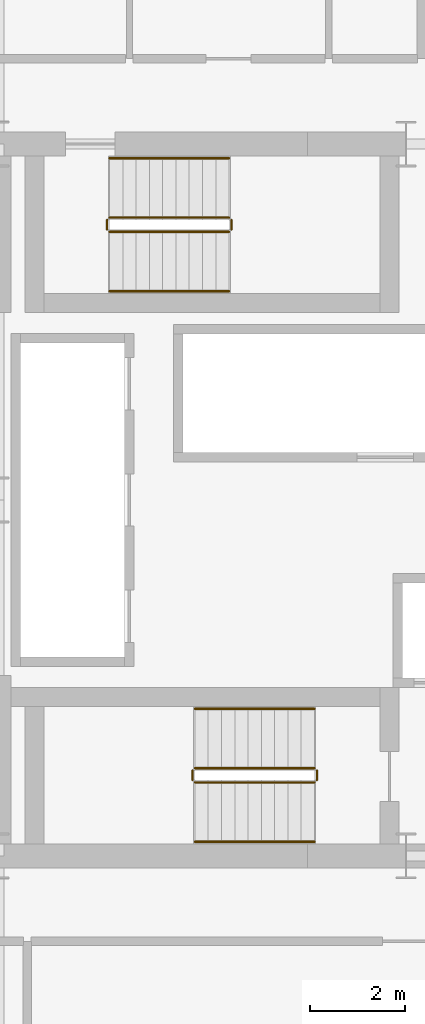
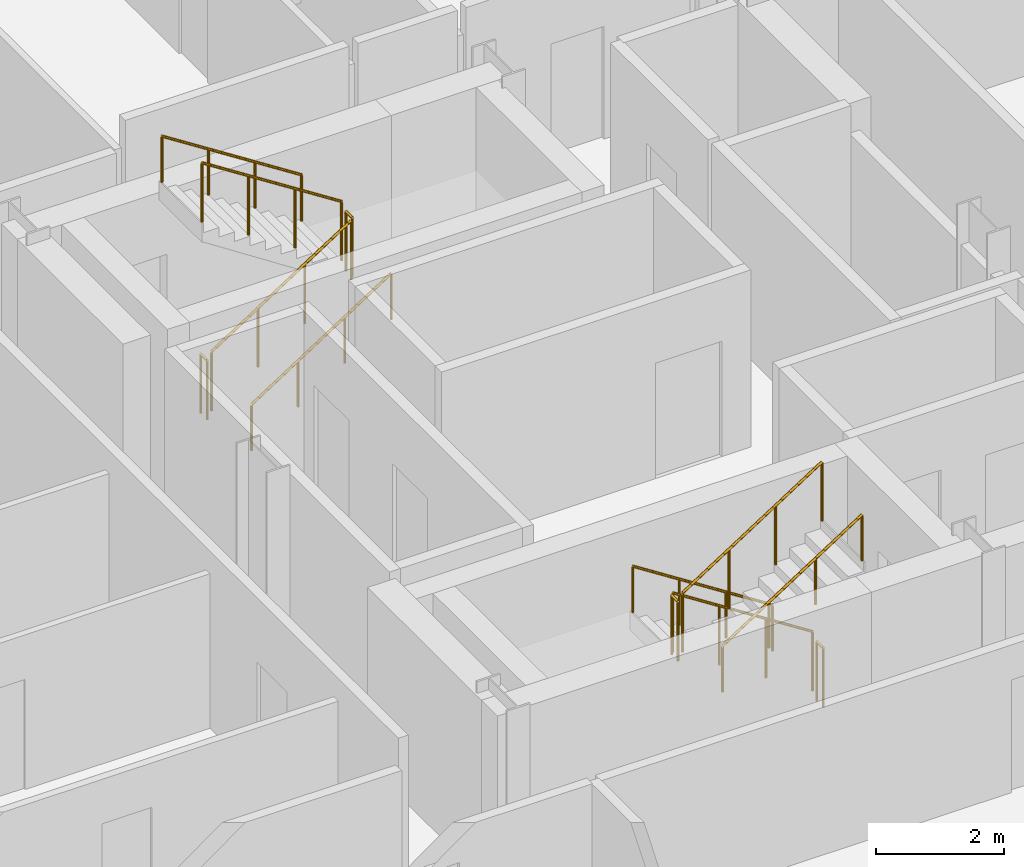
# One storey, part 22 of 23: 12 railings.
"""IFC4 building model written with IfcOpenShell, lengths in metres."""

import ifcopenshell
import ifcopenshell.guid

model = None  # the IFC model being written
_history = None  # IfcOwnerHistory: only IFC2X3 demands one
_inside = {}  # id of a spatial element -> (the spatial element, [elements in it])
_under = {}  # id of a project, library or spatial element -> (it, [spatial elements below it])
_declared = {}  # id of a project -> (the project, [libraries it declares])
_typed = {}  # id of a type object -> (the type object, [elements of that type])
_made_of = {}  # id of a material, layer set ... -> (it, [elements and type objects made of it])


def new_model(schema):
    """Start an empty IFC model of exactly this schema.

    Asked for "IFC4X3", IfcOpenShell would pick the latest addendum, in which some entities
    have other attributes; the version numbers below select the first issue.
    IFC2X3 requires an IfcOwnerHistory on every rooted entity: one is made here for all.
    """
    global model, _history
    if schema == "IFC4X3":
        model = ifcopenshell.file(schema_version=(4, 3, 0, 0))
    else:
        model = ifcopenshell.file(schema=schema)
    _inside.clear()
    _under.clear()
    _declared.clear()
    _typed.clear()
    _made_of.clear()
    _history = None
    if model.schema == "IFC2X3":
        org = make("IfcOrganization", Name="unknown")
        user = make(
            "IfcPersonAndOrganization",
            ThePerson=make("IfcPerson", FamilyName="unknown"),
            TheOrganization=org,
        )
        app = make(
            "IfcApplication",
            ApplicationDeveloper=org,
            Version="unknown",
            ApplicationFullName="unknown",
            ApplicationIdentifier="unknown",
        )
        _history = make(
            "IfcOwnerHistory",
            OwningUser=user,
            OwningApplication=app,
            ChangeAction="ADDED",
            CreationDate=0,
        )
    return model


def make(cls, **values):
    """One entity of the class cls with the attributes given. An attribute that is None is left unset."""
    return model.create_entity(
        cls, **{name: value for name, value in values.items() if value is not None}
    )


def rooted(cls, **values):
    """An entity with a GlobalId (a new one), such as an element, a storey or a relation."""
    return make(cls, GlobalId=ifcopenshell.guid.new(), OwnerHistory=_history, **values)


def si_unit(unit_type, name, prefix=None):
    """IfcSIUnit, for example si_unit("LENGTHUNIT", "METRE", prefix="MILLI")."""
    return make("IfcSIUnit", UnitType=unit_type, Prefix=prefix, Name=name)


def assignment(units):
    """IfcUnitAssignment: the units of a project."""
    return None if units is None else make("IfcUnitAssignment", Units=units)


def point(xyz):
    """IfcCartesianPoint."""
    return None if xyz is None else make("IfcCartesianPoint", Coordinates=xyz)


def direction(xyz):
    """IfcDirection."""
    return None if xyz is None else make("IfcDirection", DirectionRatios=xyz)


def frame(location, z_axis=None, x_axis=None):
    """IfcAxis2Placement3D, a coordinate frame: its origin and axes. An axis left out is left unset."""
    return make(
        "IfcAxis2Placement3D",
        Location=point(location),
        Axis=direction(z_axis),
        RefDirection=direction(x_axis),
    )


def frame_2d(location, x_axis=None):
    """IfcAxis2Placement2D, a coordinate frame in the plane: its origin and x axis."""
    return make(
        "IfcAxis2Placement2D", Location=point(location), RefDirection=direction(x_axis)
    )


def origin():
    """The frame at (0, 0, 0) with its axes left unset."""
    return frame((0.0, 0.0, 0.0))


def origin_2d():
    """The frame at (0, 0) in the plane with its x axis left unset."""
    return frame_2d((0.0, 0.0))


def place(relative_to, where):
    """IfcLocalPlacement: puts the frame where relative to a parent placement (None: the world)."""
    return make(
        "IfcLocalPlacement", PlacementRelTo=relative_to, RelativePlacement=where
    )


def context(
    kind, dimensions, precision=None, world=None, true_north=None, identifier=None
):
    """IfcGeometricRepresentationContext, for example the 3D "Model" context."""
    return make(
        "IfcGeometricRepresentationContext",
        ContextIdentifier=identifier,
        ContextType=kind,
        CoordinateSpaceDimension=dimensions,
        Precision=precision,
        WorldCoordinateSystem=world,
        TrueNorth=true_north,
    )


def subcontext(parent, identifier, kind, view, scale=None):
    """IfcGeometricRepresentationSubContext, for example "Body" below "Model"."""
    return make(
        "IfcGeometricRepresentationSubContext",
        ContextIdentifier=identifier,
        ContextType=kind,
        ParentContext=parent,
        TargetScale=scale,
        TargetView=view,
    )


def project(units=None, contexts=None):
    """IfcProject with its units and contexts."""
    return rooted(
        "IfcProject",
        Name="project",
        RepresentationContexts=contexts,
        UnitsInContext=assignment(units),
    )


def spatial(cls, under=None, at=None, **own):
    """A site, building, storey or space (cls), placed at a placement, below another one or the project."""
    s = rooted(cls, ObjectPlacement=at, **own)
    if under is not None:
        _under.setdefault(under.id(), (under, []))[1].append(s)
    return s


def profile(cls, at=None, kind="AREA", **sizes):
    """A parametric profile (cls). Its sizes go by their IFC names, for example OverallWidth=200.0."""
    return make(cls, ProfileType=kind, Position=at, **sizes)


def circle(**sizes):
    """IfcCircleProfileDef."""
    return profile("IfcCircleProfileDef", **sizes)


def extrude(swept, where, along, depth):
    """IfcExtrudedAreaSolid: the profile swept, set in the frame where, extruded along a direction by depth."""
    return make(
        "IfcExtrudedAreaSolid",
        SweptArea=swept,
        Position=where,
        ExtrudedDirection=direction(along),
        Depth=depth,
    )


def shape(context_of_items, identifier, shape_type, items):
    """IfcShapeRepresentation: the items that make up one representation, for example the "Body"."""
    return make(
        "IfcShapeRepresentation",
        ContextOfItems=context_of_items,
        RepresentationIdentifier=identifier,
        RepresentationType=shape_type,
        Items=items,
    )


def material(Name=None, Category=None):
    """IfcMaterial."""
    return make("IfcMaterial", Name=Name, Category=Category)


def made_of(thing, what):
    """Note that an element or type object is made of a material, layer set ...; save() writes the relation."""
    if what is not None:
        _made_of.setdefault(what.id(), (what, []))[1].append(thing)
    return thing


def type_object(cls, material=None, **own):
    """A type object (cls), such as IfcWallType, which elements share."""
    return made_of(rooted(cls, **own), material)


def element(
    cls,
    number,
    at=None,
    inside=None,
    cuts=None,
    type_object=None,
    material=None,
    context=None,
    identifier="Body",
    shape_type=None,
    held_by="IfcProductDefinitionShape",
    body=None,
    shapes=None,
    **own,
):
    """One element of the class cls, such as IfcWall. Its Tag is "e" and its number.

    at: its placement. inside: the storey or other place that contains it. cuts: it is an
    opening in that element (IfcRelVoidsElement). A single representation is given by context,
    identifier, shape_type and body (its items); several are given by shapes. held_by: the class
    of the entity that holds the representations. save() writes the other relations.
    """
    e = rooted(cls, Tag="e%d" % number, ObjectPlacement=at, **own)
    if body is not None:
        shapes = [shape(context, identifier, shape_type, body)]
    if shapes is not None:
        e.Representation = make(held_by, Representations=shapes)
    if inside is not None:
        _inside.setdefault(inside.id(), (inside, []))[1].append(e)
    if cuts is not None:
        rooted(
            "IfcRelVoidsElement", RelatingBuildingElement=cuts, RelatedOpeningElement=e
        )
    if type_object is not None:
        _typed.setdefault(type_object.id(), (type_object, []))[1].append(e)
    return made_of(e, material)


def aggregate(whole, parts):
    """IfcRelAggregates: a whole, such as a stair, and the parts it consists of."""
    return rooted("IfcRelAggregates", RelatingObject=whole, RelatedObjects=parts)


def save(model, path):
    """Write the relations noted so far, then the file.

    IfcRelAggregates (storeys below a building ...), IfcRelContainedInSpatialStructure (elements
    in a storey), IfcRelDefinesByType, IfcRelAssociatesMaterial and IfcRelDeclares: one each for
    every whole, place, type object, material and project.
    """
    for whole, parts in _under.values():
        aggregate(whole, parts)
    for where, things in _inside.values():
        rooted(
            "IfcRelContainedInSpatialStructure",
            RelatedElements=things,
            RelatingStructure=where,
        )
    for kind, things in _typed.values():
        rooted("IfcRelDefinesByType", RelatedObjects=things, RelatingType=kind)
    for what, things in _made_of.values():
        rooted("IfcRelAssociatesMaterial", RelatedObjects=things, RelatingMaterial=what)
    for by, libraries in _declared.values():
        rooted("IfcRelDeclares", RelatingContext=by, RelatedDefinitions=libraries)
    model.write(path)


model = new_model("IFC4")

# Units and contexts
model_context = context("Model", 3, precision=1e-05, world=origin(), true_north=direction((0.0, 1.0)))
body_context = subcontext(model_context, "Body", "Model", "MODEL_VIEW")
ifc_project = project(units=[si_unit("LENGTHUNIT", "METRE"), si_unit("AREAUNIT", "SQUARE_METRE"), si_unit("VOLUMEUNIT", "CUBIC_METRE"), si_unit("PLANEANGLEUNIT", "RADIAN"), si_unit("MASSUNIT", "GRAM", prefix="KILO")], contexts=[model_context])

# Site, building, storey
site_placement = place(None, origin())
site = spatial("IfcSite", under=ifc_project, at=site_placement, CompositionType="ELEMENT")
building_placement = place(site_placement, origin())
building = spatial("IfcBuilding", under=site, at=building_placement, Name="Barlavira Tower and Art Museum", CompositionType="ELEMENT")
storey_placement = place(building_placement, frame((0.0, 0.0, 64.800048828125)))
storey = spatial("IfcBuildingStorey", under=building, at=storey_placement, Name="L15", CompositionType="ELEMENT", Elevation=64.800048828125)

# Railings
ifc_material = material(Name="Brushed stainless steel", Category="steel")
railing_type_1 = type_object("IfcRailingType", Name="Interior Void and Landing Guard Railing 1150", PredefinedType="GUARDRAIL", material=ifc_material)
railing_1_placement = place(storey_placement, frame((0.14990234375, -5.64990234375, 0.179931640625)))
element("IfcRailing", 1, at=railing_1_placement, inside=storey, type_object=railing_type_1, Name="L15 ST-T1 stair guard 1", PredefinedType="GUARDRAIL", context=body_context, shape_type="SweptSolid", body=[
    extrude(circle(Radius=0.02392578125, at=origin_2d()), frame((0.0, 0.0, 1.1259765625), z_axis=(-0.841162588446, 0.0, 0.540782303519), x_axis=(0.0, -1.0, 0.0)), (0.0, 0.0, 1.0), 2.995849609375),
    extrude(circle(Radius=0.02099609375, at=origin_2d()), origin(), (0.0, 0.0, 1.0), 1.101806640625),
    extrude(circle(Radius=0.02099609375, at=origin_2d()), frame((-0.840087890625, 0.0, 0.5400390625)), (0.0, 0.0, 1.0), 1.101806640625),
    extrude(circle(Radius=0.02099609375, at=origin_2d()), frame((-1.679931640625, 0.0, 1.080078125)), (0.0, 0.0, 1.0), 1.101806640625),
    extrude(circle(Radius=0.02099609375, at=origin_2d()), frame((-2.52001953125, 0.0, 1.6201171875)), (0.0, 0.0, 1.0), 1.101806640625),
])
railing_2_placement = place(storey_placement, frame((-2.419921875, -5.699951171875, 1.800048828125)))
element("IfcRailing", 2, at=railing_2_placement, inside=storey, type_object=railing_type_1, Name="L15 ST-T1 stair guard 2", PredefinedType="GUARDRAIL", context=body_context, shape_type="SweptSolid", body=[
    extrude(circle(Radius=0.02392578125, at=origin_2d()), frame((0.0, 0.0, 1.1259765625), z_axis=(0.0, -1.0, 0.0), x_axis=(1.0, 0.0, 0.0)), (0.0, 0.0, 1.0), 0.199951171875),
    extrude(circle(Radius=0.02099609375, at=origin_2d()), origin(), (0.0, 0.0, 1.0), 1.101806640625),
    extrude(circle(Radius=0.02099609375, at=origin_2d()), frame((0.0, -0.199951171875, 0.0)), (0.0, 0.0, 1.0), 1.101806640625),
])
railing_3_placement = place(storey_placement, frame((-2.3701171875, -5.949951171875, 1.97998046875)))
element("IfcRailing", 3, at=railing_3_placement, inside=storey, type_object=railing_type_1, Name="L15 ST-T1 stair guard 3", PredefinedType="GUARDRAIL", context=body_context, shape_type="SweptSolid", body=[
    extrude(circle(Radius=0.02392578125, at=origin_2d()), frame((0.0, 0.0, 1.1259765625), z_axis=(0.841199657755, 0.0, 0.540724639528), x_axis=(0.0, 1.0, 0.0)), (0.0, 0.0, 1.0), 2.995849609375),
    extrude(circle(Radius=0.02099609375, at=origin_2d()), origin(), (0.0, 0.0, 1.0), 1.101806640625),
    extrude(circle(Radius=0.02099609375, at=origin_2d()), frame((0.840087890625, 0.0, 0.5400390625)), (0.0, 0.0, 1.0), 1.101806640625),
    extrude(circle(Radius=0.02099609375, at=origin_2d()), frame((1.679931640625, 0.0, 1.079833984375)), (0.0, 0.0, 1.0), 1.101806640625),
    extrude(circle(Radius=0.02099609375, at=origin_2d()), frame((2.52001953125, 0.0, 1.619873046875)), (0.0, 0.0, 1.0), 1.101806640625),
])
railing_4_placement = place(storey_placement, frame((0.199951171875, -5.699951171875, 0.0)))
element("IfcRailing", 4, at=railing_4_placement, inside=storey, type_object=railing_type_1, Name="L15 ST-T1 stair guard 4", PredefinedType="GUARDRAIL", context=body_context, shape_type="SweptSolid", body=[
    extrude(circle(Radius=0.02392578125, at=origin_2d()), frame((0.0, 0.0, 1.1259765625), z_axis=(0.0, -1.0, 0.0), x_axis=(1.0, 0.0, 0.0)), (0.0, 0.0, 1.0), 0.199951171875),
    extrude(circle(Radius=0.02099609375, at=origin_2d()), origin(), (0.0, 0.0, 1.0), 1.101806640625),
    extrude(circle(Radius=0.02099609375, at=origin_2d()), frame((0.0, -0.199951171875, 0.0)), (0.0, 0.0, 1.0), 1.101806640625),
])
railing_5_placement = place(storey_placement, frame((-4.169921875, 5.64990234375, 0.179931640625)))
element("IfcRailing", 5, at=railing_5_placement, inside=storey, type_object=railing_type_1, Name="L15 ST-T2 stair guard 1", PredefinedType="GUARDRAIL", context=body_context, shape_type="SweptSolid", body=[
    extrude(circle(Radius=0.02392578125, at=origin_2d()), frame((0.0, 0.0, 1.1259765625), z_axis=(0.841162588446, 0.0, 0.540782303519), x_axis=(0.0, 1.0, 0.0)), (0.0, 0.0, 1.0), 2.995849609375),
    extrude(circle(Radius=0.02099609375, at=origin_2d()), origin(), (0.0, 0.0, 1.0), 1.101806640625),
    extrude(circle(Radius=0.02099609375, at=origin_2d()), frame((0.840087890625, 0.0, 0.5400390625)), (0.0, 0.0, 1.0), 1.101806640625),
    extrude(circle(Radius=0.02099609375, at=origin_2d()), frame((1.679931640625, 0.0, 1.080078125)), (0.0, 0.0, 1.0), 1.101806640625),
    extrude(circle(Radius=0.02099609375, at=origin_2d()), frame((2.52001953125, 0.0, 1.6201171875)), (0.0, 0.0, 1.0), 1.101806640625),
])
railing_6_placement = place(storey_placement, frame((-1.60009765625, 5.699951171875, 1.800048828125)))
element("IfcRailing", 6, at=railing_6_placement, inside=storey, type_object=railing_type_1, Name="L15 ST-T2 stair guard 2", PredefinedType="GUARDRAIL", context=body_context, shape_type="SweptSolid", body=[
    extrude(circle(Radius=0.02392578125, at=origin_2d()), frame((0.0, 0.0, 1.1259765625), z_axis=(0.0, 1.0, 0.0), x_axis=(-1.0, 0.0, 0.0)), (0.0, 0.0, 1.0), 0.199951171875),
    extrude(circle(Radius=0.02099609375, at=origin_2d()), origin(), (0.0, 0.0, 1.0), 1.101806640625),
    extrude(circle(Radius=0.02099609375, at=origin_2d()), frame((0.0, 0.199951171875, 0.0)), (0.0, 0.0, 1.0), 1.101806640625),
])
railing_7_placement = place(storey_placement, frame((-1.64990234375, 5.949951171875, 1.97998046875)))
element("IfcRailing", 7, at=railing_7_placement, inside=storey, type_object=railing_type_1, Name="L15 ST-T2 stair guard 3", PredefinedType="GUARDRAIL", context=body_context, shape_type="SweptSolid", body=[
    extrude(circle(Radius=0.02392578125, at=origin_2d()), frame((0.0, 0.0, 1.1259765625), z_axis=(-0.841199657755, 0.0, 0.540724639528), x_axis=(0.0, -1.0, 0.0)), (0.0, 0.0, 1.0), 2.995849609375),
    extrude(circle(Radius=0.02099609375, at=origin_2d()), origin(), (0.0, 0.0, 1.0), 1.101806640625),
    extrude(circle(Radius=0.02099609375, at=origin_2d()), frame((-0.840087890625, 0.0, 0.5400390625)), (0.0, 0.0, 1.0), 1.101806640625),
    extrude(circle(Radius=0.02099609375, at=origin_2d()), frame((-1.679931640625, 0.0, 1.079833984375)), (0.0, 0.0, 1.0), 1.101806640625),
    extrude(circle(Radius=0.02099609375, at=origin_2d()), frame((-2.52001953125, 0.0, 1.619873046875)), (0.0, 0.0, 1.0), 1.101806640625),
])
railing_8_placement = place(storey_placement, frame((-4.219970703125, 5.699951171875, 0.0)))
element("IfcRailing", 8, at=railing_8_placement, inside=storey, type_object=railing_type_1, Name="L15 ST-T2 stair guard 4", PredefinedType="GUARDRAIL", context=body_context, shape_type="SweptSolid", body=[
    extrude(circle(Radius=0.02392578125, at=origin_2d()), frame((0.0, 0.0, 1.1259765625), z_axis=(0.0, 1.0, 0.0), x_axis=(-1.0, 0.0, 0.0)), (0.0, 0.0, 1.0), 0.199951171875),
    extrude(circle(Radius=0.02099609375, at=origin_2d()), origin(), (0.0, 0.0, 1.0), 1.101806640625),
    extrude(circle(Radius=0.02099609375, at=origin_2d()), frame((0.0, 0.199951171875, 0.0)), (0.0, 0.0, 1.0), 1.101806640625),
])
railing_type_2 = type_object("IfcRailingType", Name="Stair Pitch Tubular Steel Handrail 920", PredefinedType="HANDRAIL", material=ifc_material)
railing_9_placement = place(storey_placement, frame((0.14990234375, -4.39990234375, 0.179931640625)))
element("IfcRailing", 9, at=railing_9_placement, inside=storey, type_object=railing_type_2, Name="L15 ST-T1 stair handrail 1", PredefinedType="HANDRAIL", context=body_context, shape_type="SweptSolid", body=[
    extrude(circle(Radius=0.02392578125, at=origin_2d()), frame((0.0, 0.0, 0.8759765625), z_axis=(-0.841162588446, 0.0, 0.540782303519), x_axis=(0.0, -1.0, 0.0)), (0.0, 0.0, 1.0), 2.995849609375),
    extrude(circle(Radius=0.02099609375, at=origin_2d()), origin(), (0.0, 0.0, 1.0), 0.851806640625),
    extrude(circle(Radius=0.02099609375, at=origin_2d()), frame((-0.840087890625, 0.0, 0.5400390625)), (0.0, 0.0, 1.0), 0.851806640625),
    extrude(circle(Radius=0.02099609375, at=origin_2d()), frame((-1.679931640625, 0.0, 1.080078125)), (0.0, 0.0, 1.0), 0.851806640625),
    extrude(circle(Radius=0.02099609375, at=origin_2d()), frame((-2.52001953125, 0.0, 1.6201171875)), (0.0, 0.0, 1.0), 0.851806640625),
])
railing_10_placement = place(storey_placement, frame((-2.3701171875, -7.199951171875, 1.97998046875)))
element("IfcRailing", 10, at=railing_10_placement, inside=storey, type_object=railing_type_2, Name="L15 ST-T1 stair handrail 2", PredefinedType="HANDRAIL", context=body_context, shape_type="SweptSolid", body=[
    extrude(circle(Radius=0.02392578125, at=origin_2d()), frame((0.0, 0.0, 0.8759765625), z_axis=(0.841199657755, 0.0, 0.540724639528), x_axis=(0.0, 1.0, 0.0)), (0.0, 0.0, 1.0), 2.995849609375),
    extrude(circle(Radius=0.02099609375, at=origin_2d()), origin(), (0.0, 0.0, 1.0), 0.851806640625),
    extrude(circle(Radius=0.02099609375, at=origin_2d()), frame((0.840087890625, 0.0, 0.5400390625)), (0.0, 0.0, 1.0), 0.851806640625),
    extrude(circle(Radius=0.02099609375, at=origin_2d()), frame((1.679931640625, 0.0, 1.079833984375)), (0.0, 0.0, 1.0), 0.851806640625),
    extrude(circle(Radius=0.02099609375, at=origin_2d()), frame((2.52001953125, 0.0, 1.619873046875)), (0.0, 0.0, 1.0), 0.851806640625),
])
railing_11_placement = place(storey_placement, frame((-4.169921875, 4.39990234375, 0.179931640625)))
element("IfcRailing", 11, at=railing_11_placement, inside=storey, type_object=railing_type_2, Name="L15 ST-T2 stair handrail 1", PredefinedType="HANDRAIL", context=body_context, shape_type="SweptSolid", body=[
    extrude(circle(Radius=0.02392578125, at=origin_2d()), frame((0.0, 0.0, 0.8759765625), z_axis=(0.841162588446, 0.0, 0.540782303519), x_axis=(0.0, 1.0, 0.0)), (0.0, 0.0, 1.0), 2.995849609375),
    extrude(circle(Radius=0.02099609375, at=origin_2d()), origin(), (0.0, 0.0, 1.0), 0.851806640625),
    extrude(circle(Radius=0.02099609375, at=origin_2d()), frame((0.840087890625, 0.0, 0.5400390625)), (0.0, 0.0, 1.0), 0.851806640625),
    extrude(circle(Radius=0.02099609375, at=origin_2d()), frame((1.679931640625, 0.0, 1.080078125)), (0.0, 0.0, 1.0), 0.851806640625),
    extrude(circle(Radius=0.02099609375, at=origin_2d()), frame((2.52001953125, 0.0, 1.6201171875)), (0.0, 0.0, 1.0), 0.851806640625),
])
railing_12_placement = place(storey_placement, frame((-1.64990234375, 7.199951171875, 1.97998046875)))
element("IfcRailing", 12, at=railing_12_placement, inside=storey, type_object=railing_type_2, Name="L15 ST-T2 stair handrail 2", PredefinedType="HANDRAIL", context=body_context, shape_type="SweptSolid", body=[
    extrude(circle(Radius=0.02392578125, at=origin_2d()), frame((0.0, 0.0, 0.8759765625), z_axis=(-0.841199657755, 0.0, 0.540724639528), x_axis=(0.0, -1.0, 0.0)), (0.0, 0.0, 1.0), 2.995849609375),
    extrude(circle(Radius=0.02099609375, at=origin_2d()), origin(), (0.0, 0.0, 1.0), 0.851806640625),
    extrude(circle(Radius=0.02099609375, at=origin_2d()), frame((-0.840087890625, 0.0, 0.5400390625)), (0.0, 0.0, 1.0), 0.851806640625),
    extrude(circle(Radius=0.02099609375, at=origin_2d()), frame((-1.679931640625, 0.0, 1.079833984375)), (0.0, 0.0, 1.0), 0.851806640625),
    extrude(circle(Radius=0.02099609375, at=origin_2d()), frame((-2.52001953125, 0.0, 1.619873046875)), (0.0, 0.0, 1.0), 0.851806640625),
])

save(model, "model.ifc")
